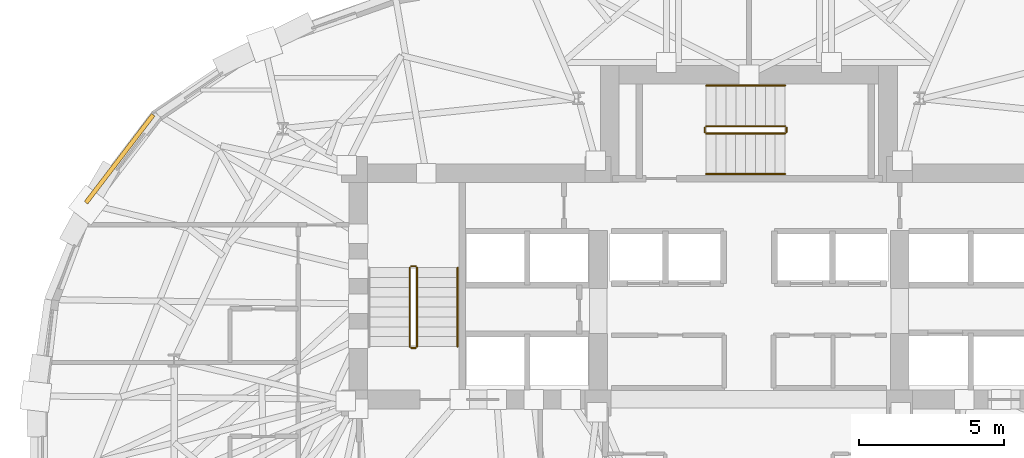
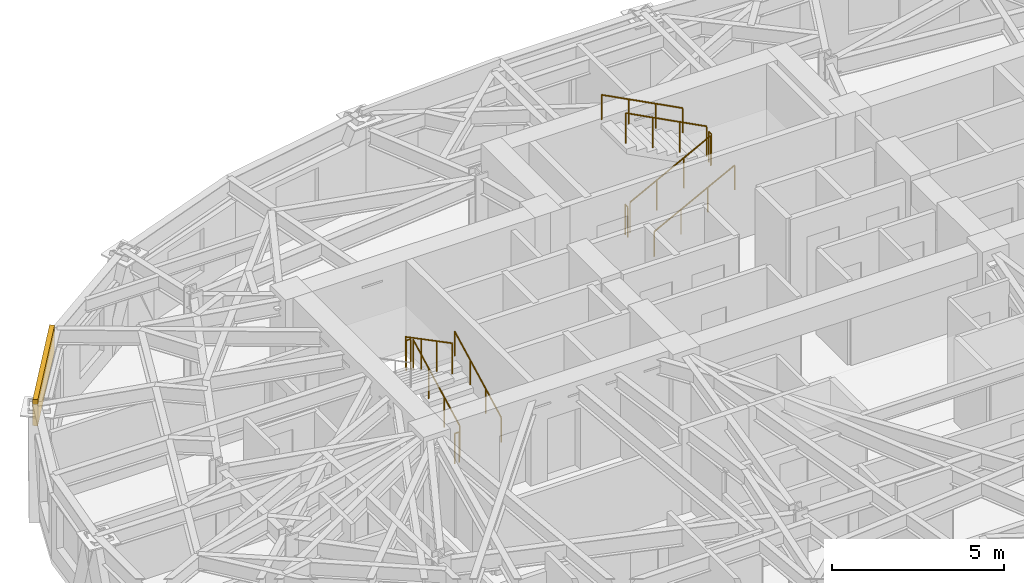
# One storey, part 13 of 15: 11 railings, 1 covering.
"""IFC4 building model written with IfcOpenShell, lengths in metres."""

from ifc_helpers import new_model, si_unit, direction, frame, origin, origin_2d, place, context, subcontext, project, spatial, rectangle, circle, extrude, material, layer, layer_set, type_object, element, save


model = new_model("IFC4")

# Units and contexts
model_context = context("Model", 3, precision=1e-05, world=origin(), true_north=direction((0.0, 1.0)))
body_context = subcontext(model_context, "Body", "Model", "MODEL_VIEW")
ifc_project = project(units=[si_unit("LENGTHUNIT", "METRE"), si_unit("AREAUNIT", "SQUARE_METRE"), si_unit("VOLUMEUNIT", "CUBIC_METRE"), si_unit("PLANEANGLEUNIT", "RADIAN"), si_unit("MASSUNIT", "GRAM", prefix="KILO")], contexts=[model_context])

# Site, building, storey
site_placement = place(None, origin())
site = spatial("IfcSite", under=ifc_project, at=site_placement, CompositionType="ELEMENT")
building_placement = place(site_placement, origin())
building = spatial("IfcBuilding", under=site, at=building_placement, Name="Keldmark Tower", CompositionType="ELEMENT")
storey_placement = place(building_placement, frame((0.0, 0.0, 143.800048828125)))
storey = spatial("IfcBuildingStorey", under=building, at=storey_placement, Name="L38", CompositionType="ELEMENT", Elevation=143.800048828125)

# Covering
ifc_material_1 = material(Name="Honed Kasota Buff Dolomitic Limestone", Category="masonry")
ifc_layer = layer(ifc_material_1, 0.074951171875)
ifc_layer_set = layer_set([ifc_layer], Name="Honed Kasota Buff Dolomitic Limestone")
covering_type = type_object("IfcCoveringType", Name="Kasota Buff Limestone Spandrel Cladding Band", PredefinedType="CLADDING", material=ifc_layer_set)
covering_placement = place(storey_placement, frame((-21.70849609375, 9.827880859375, 2.239013671875), z_axis=(0.0, 0.0, 1.0), x_axis=(-0.607181709483, -0.794563006733, 0.0)))
element("IfcCovering", 1, at=covering_placement, inside=storey, type_object=covering_type, Name="L38 Kasota Limestone Spandrel Band 13", PredefinedType="CLADDING", context=body_context, shape_type="SweptSolid", body=[
    extrude(rectangle(XDim=3.818603515625, YDim=0.14990234375, at=origin_2d()), origin(), (0.0, 0.0, 1.0), 0.94091796875),
])

# Railings
ifc_material_2 = material(Name="Painted Steel ASTM A500 Grade B", Category="steel")
railing_type_1 = type_object("IfcRailingType", Name="Painted Steel Stair Well Guard 1100 mm", PredefinedType="GUARDRAIL", material=ifc_material_2)
railing_1_placement = place(storey_placement, frame((-11.449951171875, 3.35009765625, 0.177734375)))
element("IfcRailing", 2, at=railing_1_placement, inside=storey, type_object=railing_type_1, Name="L38 ST1 stair guard 1", PredefinedType="GUARDRAIL", context=body_context, shape_type="SweptSolid", body=[
    extrude(circle(Radius=0.02392578125, at=origin_2d()), frame((0.0, 0.0, 1.076171875), z_axis=(0.0, 0.886183135912, 0.463335137482), x_axis=(-1.0, 0.0, 0.0)), (0.0, 0.0, 1.0), 3.0693359375),
    extrude(circle(Radius=0.02099609375, at=origin_2d()), origin(), (0.0, 0.0, 1.0), 1.052001953125),
    extrude(circle(Radius=0.02099609375, at=origin_2d()), frame((0.0, 0.90673828125, 0.47412109375)), (0.0, 0.0, 1.0), 1.052001953125),
    extrude(circle(Radius=0.02099609375, at=origin_2d()), frame((0.0, 1.813232421875, 0.947998046875)), (0.0, 0.0, 1.0), 1.052001953125),
    extrude(circle(Radius=0.02099609375, at=origin_2d()), frame((0.0, 2.719970703125, 1.422119140625)), (0.0, 0.0, 1.0), 1.052001953125),
])
railing_2_placement = place(storey_placement, frame((-11.5, 6.1201171875, 1.599853515625)))
element("IfcRailing", 3, at=railing_2_placement, inside=storey, type_object=railing_type_1, Name="L38 ST1 stair guard 2", PredefinedType="GUARDRAIL", context=body_context, shape_type="SweptSolid", body=[
    extrude(circle(Radius=0.02392578125, at=origin_2d()), frame((0.0, 0.0, 1.076171875), z_axis=(-1.0, 0.0, 0.0), x_axis=(0.0, -1.0, 0.0)), (0.0, 0.0, 1.0), 0.14990234375),
    extrude(circle(Radius=0.02099609375, at=origin_2d()), origin(), (0.0, 0.0, 1.0), 1.052001953125),
    extrude(circle(Radius=0.02099609375, at=origin_2d()), frame((-0.14990234375, 0.0, 0.0)), (0.0, 0.0, 1.0), 1.052001953125),
])
railing_3_placement = place(storey_placement, frame((-11.699951171875, 6.070068359375, 1.77783203125)))
element("IfcRailing", 4, at=railing_3_placement, inside=storey, type_object=railing_type_1, Name="L38 ST1 stair guard 3", PredefinedType="GUARDRAIL", context=body_context, shape_type="SweptSolid", body=[
    extrude(circle(Radius=0.02392578125, at=origin_2d()), frame((0.0, 0.0, 1.076171875), z_axis=(0.0, -0.886183135912, 0.463335137482), x_axis=(1.0, 0.0, 0.0)), (0.0, 0.0, 1.0), 3.0693359375),
    extrude(circle(Radius=0.02099609375, at=origin_2d()), origin(), (0.0, 0.0, 1.0), 1.052001953125),
    extrude(circle(Radius=0.02099609375, at=origin_2d()), frame((0.0, -0.90673828125, 0.47412109375)), (0.0, 0.0, 1.0), 1.052001953125),
    extrude(circle(Radius=0.02099609375, at=origin_2d()), frame((0.0, -1.813232421875, 0.947998046875)), (0.0, 0.0, 1.0), 1.052001953125),
    extrude(circle(Radius=0.02099609375, at=origin_2d()), frame((0.0, -2.719970703125, 1.422119140625)), (0.0, 0.0, 1.0), 1.052001953125),
])
railing_4_placement = place(storey_placement, frame((-11.5, 3.300048828125, 0.0)))
element("IfcRailing", 5, at=railing_4_placement, inside=storey, type_object=railing_type_1, Name="L38 ST1 stair guard 4", PredefinedType="GUARDRAIL", context=body_context, shape_type="SweptSolid", body=[
    extrude(circle(Radius=0.02392578125, at=origin_2d()), frame((0.0, 0.0, 1.076171875), z_axis=(-1.0, 0.0, 0.0), x_axis=(0.0, -1.0, 0.0)), (0.0, 0.0, 1.0), 0.14990234375),
    extrude(circle(Radius=0.02099609375, at=origin_2d()), origin(), (0.0, 0.0, 1.0), 1.052001953125),
    extrude(circle(Radius=0.02099609375, at=origin_2d()), frame((-0.14990234375, 0.0, 0.0)), (0.0, 0.0, 1.0), 1.052001953125),
])
railing_5_placement = place(storey_placement, frame((-1.47509765625, 10.699951171875, 0.177734375)))
element("IfcRailing", 6, at=railing_5_placement, inside=storey, type_object=railing_type_1, Name="L38 ST3 stair guard 1", PredefinedType="GUARDRAIL", context=body_context, shape_type="SweptSolid", body=[
    extrude(circle(Radius=0.02392578125, at=origin_2d()), frame((0.0, 0.0, 1.076171875), z_axis=(0.886200210249, 0.0, 0.463302479331), x_axis=(0.0, 1.0, 0.0)), (0.0, 0.0, 1.0), 3.069580078125),
    extrude(circle(Radius=0.02099609375, at=origin_2d()), origin(), (0.0, 0.0, 1.0), 1.052001953125),
    extrude(circle(Radius=0.02099609375, at=origin_2d()), frame((0.90673828125, 0.0, 0.47412109375)), (0.0, 0.0, 1.0), 1.052001953125),
    extrude(circle(Radius=0.02099609375, at=origin_2d()), frame((1.8134765625, 0.0, 0.947998046875)), (0.0, 0.0, 1.0), 1.052001953125),
    extrude(circle(Radius=0.02099609375, at=origin_2d()), frame((2.72021484375, 0.0, 1.422119140625)), (0.0, 0.0, 1.0), 1.052001953125),
])
railing_6_placement = place(storey_placement, frame((1.294921875, 10.75, 1.599853515625)))
element("IfcRailing", 7, at=railing_6_placement, inside=storey, type_object=railing_type_1, Name="L38 ST3 stair guard 2", PredefinedType="GUARDRAIL", context=body_context, shape_type="SweptSolid", body=[
    extrude(circle(Radius=0.02392578125, at=origin_2d()), frame((0.0, 0.0, 1.076171875), z_axis=(0.0, 1.0, 0.0), x_axis=(-1.0, 0.0, 0.0)), (0.0, 0.0, 1.0), 0.14990234375),
    extrude(circle(Radius=0.02099609375, at=origin_2d()), origin(), (0.0, 0.0, 1.0), 1.052001953125),
    extrude(circle(Radius=0.02099609375, at=origin_2d()), frame((0.0, 0.14990234375, 0.0)), (0.0, 0.0, 1.0), 1.052001953125),
])
railing_7_placement = place(storey_placement, frame((1.2451171875, 10.949951171875, 1.77783203125)))
element("IfcRailing", 8, at=railing_7_placement, inside=storey, type_object=railing_type_1, Name="L38 ST3 stair guard 3", PredefinedType="GUARDRAIL", context=body_context, shape_type="SweptSolid", body=[
    extrude(circle(Radius=0.02392578125, at=origin_2d()), frame((0.0, 0.0, 1.076171875), z_axis=(-0.886200210249, 0.0, 0.463302479331), x_axis=(0.0, -1.0, 0.0)), (0.0, 0.0, 1.0), 3.069580078125),
    extrude(circle(Radius=0.02099609375, at=origin_2d()), origin(), (0.0, 0.0, 1.0), 1.052001953125),
    extrude(circle(Radius=0.02099609375, at=origin_2d()), frame((-0.90673828125, 0.0, 0.47412109375)), (0.0, 0.0, 1.0), 1.052001953125),
    extrude(circle(Radius=0.02099609375, at=origin_2d()), frame((-1.8134765625, 0.0, 0.947998046875)), (0.0, 0.0, 1.0), 1.052001953125),
    extrude(circle(Radius=0.02099609375, at=origin_2d()), frame((-2.72021484375, 0.0, 1.422119140625)), (0.0, 0.0, 1.0), 1.052001953125),
])
railing_8_placement = place(storey_placement, frame((-1.52490234375, 10.75, 0.0)))
element("IfcRailing", 9, at=railing_8_placement, inside=storey, type_object=railing_type_1, Name="L38 ST3 stair guard 4", PredefinedType="GUARDRAIL", context=body_context, shape_type="SweptSolid", body=[
    extrude(circle(Radius=0.02392578125, at=origin_2d()), frame((0.0, 0.0, 1.076171875), z_axis=(0.0, 1.0, 0.0), x_axis=(-1.0, 0.0, 0.0)), (0.0, 0.0, 1.0), 0.14990234375),
    extrude(circle(Radius=0.02099609375, at=origin_2d()), origin(), (0.0, 0.0, 1.0), 1.052001953125),
    extrude(circle(Radius=0.02099609375, at=origin_2d()), frame((0.0, 0.14990234375, 0.0)), (0.0, 0.0, 1.0), 1.052001953125),
])
ifc_material_3 = material(Name="Stainless Steel AISI 316L", Category="steel")
railing_type_2 = type_object("IfcRailingType", Name="Stainless Steel Stair Handrail 900 mm", PredefinedType="HANDRAIL", material=ifc_material_3)
railing_9_placement = place(storey_placement, frame((-10.050048828125, 3.35009765625, 0.177734375)))
element("IfcRailing", 10, at=railing_9_placement, inside=storey, type_object=railing_type_2, Name="L38 ST1 stair handrail 1", PredefinedType="HANDRAIL", context=body_context, shape_type="SweptSolid", body=[
    extrude(circle(Radius=0.02392578125, at=origin_2d()), frame((0.0, 0.0, 0.8759765625), z_axis=(0.0, 0.886183135912, 0.463335137482), x_axis=(-1.0, 0.0, 0.0)), (0.0, 0.0, 1.0), 3.0693359375),
    extrude(circle(Radius=0.02099609375, at=origin_2d()), origin(), (0.0, 0.0, 1.0), 0.851806640625),
    extrude(circle(Radius=0.02099609375, at=origin_2d()), frame((0.0, 0.90673828125, 0.47412109375)), (0.0, 0.0, 1.0), 0.851806640625),
    extrude(circle(Radius=0.02099609375, at=origin_2d()), frame((0.0, 1.813232421875, 0.947998046875)), (0.0, 0.0, 1.0), 0.851806640625),
    extrude(circle(Radius=0.02099609375, at=origin_2d()), frame((0.0, 2.719970703125, 1.422119140625)), (0.0, 0.0, 1.0), 0.851806640625),
])
railing_10_placement = place(storey_placement, frame((-1.47509765625, 9.300048828125, 0.177734375)))
element("IfcRailing", 11, at=railing_10_placement, inside=storey, type_object=railing_type_2, Name="L38 ST3 stair handrail 1", PredefinedType="HANDRAIL", context=body_context, shape_type="SweptSolid", body=[
    extrude(circle(Radius=0.02392578125, at=origin_2d()), frame((0.0, 0.0, 0.8759765625), z_axis=(0.886200210249, 0.0, 0.463302479331), x_axis=(0.0, 1.0, 0.0)), (0.0, 0.0, 1.0), 3.069580078125),
    extrude(circle(Radius=0.02099609375, at=origin_2d()), origin(), (0.0, 0.0, 1.0), 0.851806640625),
    extrude(circle(Radius=0.02099609375, at=origin_2d()), frame((0.90673828125, 0.0, 0.47412109375)), (0.0, 0.0, 1.0), 0.851806640625),
    extrude(circle(Radius=0.02099609375, at=origin_2d()), frame((1.8134765625, 0.0, 0.947998046875)), (0.0, 0.0, 1.0), 0.851806640625),
    extrude(circle(Radius=0.02099609375, at=origin_2d()), frame((2.72021484375, 0.0, 1.422119140625)), (0.0, 0.0, 1.0), 0.851806640625),
])
railing_11_placement = place(storey_placement, frame((1.2451171875, 12.35009765625, 1.77783203125)))
element("IfcRailing", 12, at=railing_11_placement, inside=storey, type_object=railing_type_2, Name="L38 ST3 stair handrail 2", PredefinedType="HANDRAIL", context=body_context, shape_type="SweptSolid", body=[
    extrude(circle(Radius=0.02392578125, at=origin_2d()), frame((0.0, 0.0, 0.8759765625), z_axis=(-0.886200210249, 0.0, 0.463302479331), x_axis=(0.0, -1.0, 0.0)), (0.0, 0.0, 1.0), 3.069580078125),
    extrude(circle(Radius=0.02099609375, at=origin_2d()), origin(), (0.0, 0.0, 1.0), 0.851806640625),
    extrude(circle(Radius=0.02099609375, at=origin_2d()), frame((-0.90673828125, 0.0, 0.47412109375)), (0.0, 0.0, 1.0), 0.851806640625),
    extrude(circle(Radius=0.02099609375, at=origin_2d()), frame((-1.8134765625, 0.0, 0.947998046875)), (0.0, 0.0, 1.0), 0.851806640625),
    extrude(circle(Radius=0.02099609375, at=origin_2d()), frame((-2.72021484375, 0.0, 1.422119140625)), (0.0, 0.0, 1.0), 0.851806640625),
])

save(model, "model.ifc")
